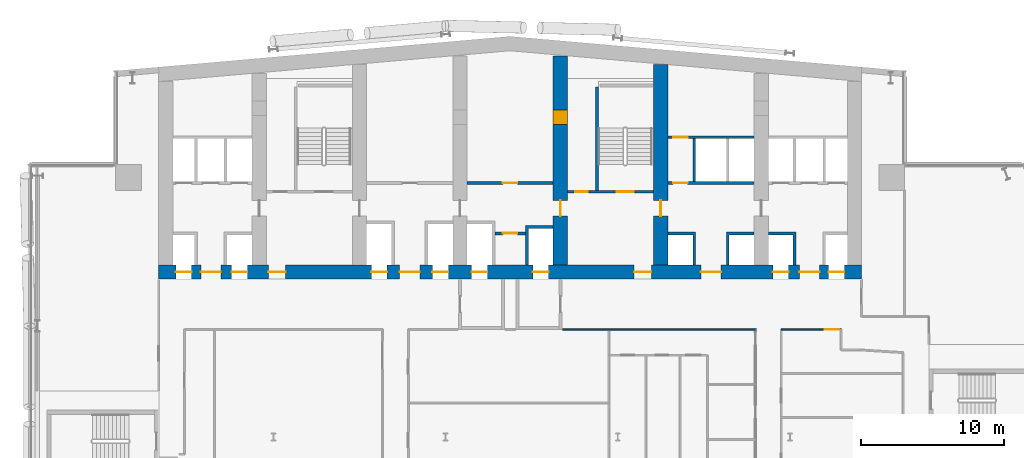
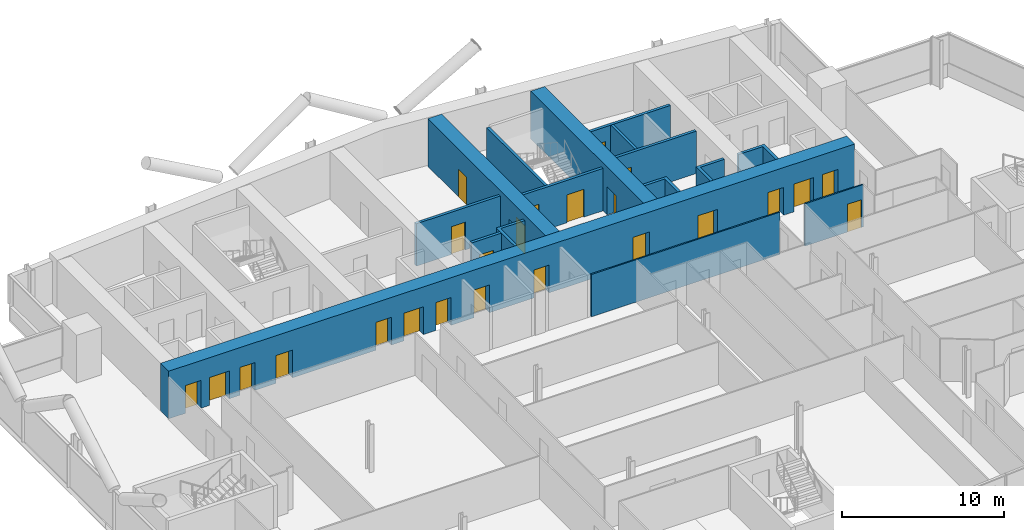
# One storey, part 17 of 27: 24 doors, 16 walls, 24 openings.
"""IFC4 building model written with IfcOpenShell, lengths in metres."""

from ifc_helpers import new_model, si_unit, direction, frame, frame_2d, origin, place, context, subcontext, project, spatial, polyline, rectangle, outline, extrude, material, layer, layer_set, type_object, element, fill, save


model = new_model("IFC4")

# Units and contexts
model_context = context("Model", 3, precision=1e-05, world=origin(), true_north=direction((0.0, 1.0)))
body_context = subcontext(model_context, "Body", "Model", "MODEL_VIEW")
ifc_project = project(units=[si_unit("LENGTHUNIT", "METRE"), si_unit("AREAUNIT", "SQUARE_METRE"), si_unit("VOLUMEUNIT", "CUBIC_METRE"), si_unit("PLANEANGLEUNIT", "RADIAN"), si_unit("MASSUNIT", "GRAM", prefix="KILO")], contexts=[model_context])

# Site, building, storey
site_placement = place(None, origin())
site = spatial("IfcSite", under=ifc_project, at=site_placement, CompositionType="ELEMENT")
building_placement = place(site_placement, origin())
building = spatial("IfcBuilding", under=site, at=building_placement, Name="Wharfspan Tower", CompositionType="ELEMENT")
storey_placement = place(building_placement, frame((0.0, 0.0, 111.100098)))
storey = spatial("IfcBuildingStorey", under=building, at=storey_placement, Name="L25", CompositionType="ELEMENT", Elevation=111.100098)

# Wall, opening, door
ifc_material_1 = material(Name="Gypsum board on steel studs", Category="steel")
ifc_layer_1 = layer(ifc_material_1, 0.100098)
ifc_layer_set_1 = layer_set([ifc_layer_1], Name="Gypsum board on steel studs")
wall_type_1 = type_object("IfcWallType", Name="Compartment wall 100 EI 60", PredefinedType="PARTITIONING", material=ifc_layer_set_1)
wall_1_placement = place(storey_placement, frame((59.399902, 30.5, 0.0), z_axis=(0.0, 0.0, 1.0), x_axis=(1.0, 0.0, 0.0)))
wall_1 = element("IfcWall", 1, at=wall_1_placement, inside=storey, type_object=wall_type_1, Name="Partition L25.w041", PredefinedType="PARTITIONING", context=body_context, shape_type="SweptSolid", body=[
    extrude(rectangle(XDim=4.175049, YDim=0.100098, at=frame_2d((2.087402, 0.0))), origin(), (0.0, 0.0, 1.0), 3.199951),
])
opening_1_placement = place(wall_1_placement, frame((3.024902, 0.0, 0.0)))
opening_1 = element("IfcOpeningElement", 2, at=opening_1_placement, cuts=wall_1, Name="Opening B3-25", PredefinedType="OPENING", context=body_context, shape_type="SweptSolid", body=[
    extrude(rectangle(XDim=1.0, YDim=2.100098, at=frame_2d((0.5, 1.050049))), frame((0.0, 0.060059, 0.0), z_axis=(0.0, -1.0, 0.0), x_axis=(1.0, 0.0, 0.0)), (0.0, 0.0, 1.0), 0.120117),
])
ifc_material_2 = material(Name="Fire-rated timber door leaf in steel frame", Category="steel")
door_type_1 = type_object("IfcDoorType", Name="Door 1000 FD30S Right", OperationType="SINGLE_SWING_RIGHT", PredefinedType="DOOR", material=ifc_material_2)
door_1_placement = place(opening_1_placement, origin())
door_1 = element("IfcDoor", 3, at=door_1_placement, inside=storey, type_object=door_type_1, Name="Door B3-25", OperationType="SINGLE_SWING_RIGHT", OverallHeight=2.100098, OverallWidth=1.0, PredefinedType="DOOR", context=body_context, shape_type="SweptSolid", body=[
    extrude(rectangle(XDim=1.0, YDim=2.100098, at=frame_2d((0.5, 1.050049))), frame((0.0, 0.024902, 0.0), z_axis=(0.0, -1.0, 0.0), x_axis=(1.0, 0.0, 0.0)), (0.0, 0.0, 1.0), 0.050049),
])
fill(opening_1, door_1)

# Wall
wall_2_placement = place(storey_placement, frame((44.149902, 30.5, 0.0), z_axis=(0.0, 0.0, 1.0), x_axis=(1.0, 0.0, 0.0)))
element("IfcWall", 4, at=wall_2_placement, inside=storey, type_object=wall_type_1, Name="Partition L25.w020 (3)", PredefinedType="PARTITIONING", context=body_context, shape_type="SweptSolid", body=[
    extrude(rectangle(XDim=13.450195, YDim=0.100098, at=frame_2d((6.725098, 0.0))), origin(), (0.0, 0.0, 1.0), 3.199951),
])

# Wall, opening, door
ifc_material_3 = material(Name="Calcium silicate masonry", Category="masonry")
ifc_layer_2 = layer(ifc_material_3, 0.199951)
ifc_layer_set_2 = layer_set([ifc_layer_2], Name="Calcium silicate masonry")
wall_type_2 = type_object("IfcWallType", Name="Core room wall 200", PredefinedType="PARTITIONING", material=ifc_layer_set_2)
wall_3_placement = place(storey_placement, frame((39.43335, 37.199951, 0.0), z_axis=(0.0, 0.0, 1.0), x_axis=(1.0, 0.0, 0.0)))
wall_3 = element("IfcWall", 5, at=wall_3_placement, inside=storey, type_object=wall_type_2, Name="sw:L25:FR4.2", PredefinedType="PARTITIONING", context=body_context, shape_type="SweptSolid", body=[
    extrude(rectangle(XDim=2.133301, YDim=0.199951, at=frame_2d((1.06665, 0.0))), origin(), (0.0, 0.0, 1.0), 3.199951),
])
opening_2_placement = place(wall_3_placement, frame((0.56665, 0.0, 0.0)))
opening_2 = element("IfcOpeningElement", 6, at=opening_2_placement, cuts=wall_3, Name="Opening CD25.4H2", PredefinedType="OPENING", context=body_context, shape_type="SweptSolid", body=[
    extrude(rectangle(XDim=1.0, YDim=2.100098, at=frame_2d((0.5, 1.050049))), frame((0.0, 0.109863, 0.0), z_axis=(0.0, -1.0, 0.0), x_axis=(1.0, 0.0, 0.0)), (0.0, 0.0, 1.0), 0.219971),
])
ifc_material_4 = material(Name="Steel door leaf", Category="steel")
door_type_2 = type_object("IfcDoorType", Name="Core room door 1000x2100", OperationType="SINGLE_SWING_LEFT", PredefinedType="DOOR", material=ifc_material_4)
door_2_placement = place(opening_2_placement, origin())
door_2 = element("IfcDoor", 7, at=door_2_placement, inside=storey, type_object=door_type_2, Name="d:L25:4:fh4.2", OperationType="SINGLE_SWING_RIGHT", OverallHeight=2.100098, OverallWidth=1.0, PredefinedType="DOOR", context=body_context, shape_type="SweptSolid", body=[
    extrude(rectangle(XDim=1.0, YDim=2.100098, at=frame_2d((0.5, 1.050049))), frame((0.0, 0.024902, 0.0), z_axis=(0.0, -1.0, 0.0), x_axis=(1.0, 0.0, 0.0)), (0.0, 0.0, 1.0), 0.050049),
])
fill(opening_2, door_2)

# Wall, openings, doors
ifc_material_5 = material(Name="Concrete C70/85", Category="concrete")
ifc_layer_3 = layer(ifc_material_5, 1.0)
ifc_layer_set_3 = layer_set([ifc_layer_3], Name="Concrete C70/85")
wall_type_3 = type_object("IfcWallType", Name="Core wall 1000 C70/85", PredefinedType="SHEAR", material=ifc_layer_set_3)
wall_4_placement = place(storey_placement, frame((16.0, 34.5, 0.0), z_axis=(0.0, 0.0, 1.0), x_axis=(1.0, 0.0, 0.0)))
wall_4 = element("IfcWall", 8, at=wall_4_placement, inside=storey, type_object=wall_type_3, Name="Core front wall L25", PredefinedType="SHEAR", context=body_context, shape_type="SweptSolid", body=[
    extrude(rectangle(XDim=49.0, YDim=1.0, at=frame_2d((24.5, 0.0))), origin(), (0.0, 0.0, 1.0), 3.599854),
])
opening_3_placement = place(wall_4_placement, frame((1.199951, 0.0, 0.0)))
opening_3 = element("IfcOpeningElement", 9, at=opening_3_placement, cuts=wall_4, Name="Opening LD.LA1.L25", PredefinedType="OPENING", context=body_context, shape_type="SweptSolid", body=[
    extrude(rectangle(XDim=1.100098, YDim=2.100098, at=frame_2d((0.550049, 1.050049))), frame((0.0, 0.51001, 0.0), z_axis=(0.0, -1.0, 0.0), x_axis=(1.0, 0.0, 0.0)), (0.0, 0.0, 1.0), 1.02002),
])
opening_4_placement = place(wall_4_placement, frame((5.083252, 0.0, 0.0)))
opening_4 = element("IfcOpeningElement", 10, at=opening_4_placement, cuts=wall_4, Name="Opening LD.LA2.L25", PredefinedType="OPENING", context=body_context, shape_type="SweptSolid", body=[
    extrude(rectangle(XDim=1.100098, YDim=2.100098, at=frame_2d((0.550049, 1.050049))), frame((0.0, 0.51001, 0.0), z_axis=(0.0, -1.0, 0.0), x_axis=(1.0, 0.0, 0.0)), (0.0, 0.0, 1.0), 1.02002),
])
opening_5_placement = place(wall_4_placement, frame((2.93335, 0.0, 0.0)))
opening_5 = element("IfcOpeningElement", 11, at=opening_5_placement, cuts=wall_4, Name="Opening HD25.1", PredefinedType="OPENING", context=body_context, shape_type="SweptSolid", body=[
    extrude(rectangle(XDim=1.399902, YDim=2.100098, at=frame_2d((0.699951, 1.050049))), frame((0.0, 0.51001, 0.0), z_axis=(0.0, -1.0, 0.0), x_axis=(1.0, 0.0, 0.0)), (0.0, 0.0, 1.0), 1.02002),
])
opening_6_placement = place(wall_4_placement, frame((7.649902, 0.0, 0.0)))
opening_6 = element("IfcOpeningElement", 12, at=opening_6_placement, cuts=wall_4, Name="Opening SV2.L25", PredefinedType="OPENING", context=body_context, shape_type="SweptSolid", body=[
    extrude(rectangle(XDim=1.199951, YDim=2.100098, at=frame_2d((0.600098, 1.050049))), frame((0.0, 0.51001, 0.0), z_axis=(0.0, -1.0, 0.0), x_axis=(1.0, 0.0, 0.0)), (0.0, 0.0, 1.0), 1.02002),
])
opening_7_placement = place(wall_4_placement, frame((14.81665, 0.0, 0.0)))
opening_7 = element("IfcOpeningElement", 13, at=opening_7_placement, cuts=wall_4, Name="Opening LD.SL1.L25", PredefinedType="OPENING", context=body_context, shape_type="SweptSolid", body=[
    extrude(rectangle(XDim=1.100098, YDim=2.100098, at=frame_2d((0.550049, 1.050049))), frame((0.0, 0.51001, 0.0), z_axis=(0.0, -1.0, 0.0), x_axis=(1.0, 0.0, 0.0)), (0.0, 0.0, 1.0), 1.02002),
])
opening_8_placement = place(wall_4_placement, frame((19.083252, 0.0, 0.0)))
opening_8 = element("IfcOpeningElement", 14, at=opening_8_placement, cuts=wall_4, Name="Opening LD.SL2.L25", PredefinedType="OPENING", context=body_context, shape_type="SweptSolid", body=[
    extrude(rectangle(XDim=1.100098, YDim=2.100098, at=frame_2d((0.550049, 1.050049))), frame((0.0, 0.51001, 0.0), z_axis=(0.0, -1.0, 0.0), x_axis=(1.0, 0.0, 0.0)), (0.0, 0.0, 1.0), 1.02002),
])
opening_9_placement = place(wall_4_placement, frame((16.800049, 0.0, 0.0)))
opening_9 = element("IfcOpeningElement", 15, at=opening_9_placement, cuts=wall_4, Name="Opening HD25.3", PredefinedType="OPENING", context=body_context, shape_type="SweptSolid", body=[
    extrude(rectangle(XDim=1.399902, YDim=2.100098, at=frame_2d((0.699951, 1.050049))), frame((0.0, 0.51001, 0.0), z_axis=(0.0, -1.0, 0.0), x_axis=(1.0, 0.0, 0.0)), (0.0, 0.0, 1.0), 1.02002),
])
opening_10_placement = place(wall_4_placement, frame((21.81665, 0.0, 0.0)))
opening_10 = element("IfcOpeningElement", 16, at=opening_10_placement, cuts=wall_4, Name="Opening LD.FF1.L25", PredefinedType="OPENING", context=body_context, shape_type="SweptSolid", body=[
    extrude(rectangle(XDim=1.100098, YDim=2.100098, at=frame_2d((0.550049, 1.050049))), frame((0.0, 0.51001, 0.0), z_axis=(0.0, -1.0, 0.0), x_axis=(1.0, 0.0, 0.0)), (0.0, 0.0, 1.0), 1.02002),
])
opening_11_placement = place(wall_4_placement, frame((26.083252, 0.0, 0.0)))
opening_11 = element("IfcOpeningElement", 17, at=opening_11_placement, cuts=wall_4, Name="Opening LD.FF2.L25", PredefinedType="OPENING", context=body_context, shape_type="SweptSolid", body=[
    extrude(rectangle(XDim=1.100098, YDim=2.100098, at=frame_2d((0.550049, 1.050049))), frame((0.0, 0.51001, 0.0), z_axis=(0.0, -1.0, 0.0), x_axis=(1.0, 0.0, 0.0)), (0.0, 0.0, 1.0), 1.02002),
])
opening_12_placement = place(wall_4_placement, frame((33.149902, 0.0, 0.0)))
opening_12 = element("IfcOpeningElement", 18, at=opening_12_placement, cuts=wall_4, Name="Opening SV5.L25", PredefinedType="OPENING", context=body_context, shape_type="SweptSolid", body=[
    extrude(rectangle(XDim=1.199951, YDim=2.100098, at=frame_2d((0.600098, 1.050049))), frame((0.0, 0.51001, 0.0), z_axis=(0.0, -1.0, 0.0), x_axis=(1.0, 0.0, 0.0)), (0.0, 0.0, 1.0), 1.02002),
])
opening_13_placement = place(wall_4_placement, frame((37.800049, 0.0, 0.0)))
opening_13 = element("IfcOpeningElement", 19, at=opening_13_placement, cuts=wall_4, Name="Opening HD25.6", PredefinedType="OPENING", context=body_context, shape_type="SweptSolid", body=[
    extrude(rectangle(XDim=1.399902, YDim=2.100098, at=frame_2d((0.699951, 1.050049))), frame((0.0, 0.51001, 0.0), z_axis=(0.0, -1.0, 0.0), x_axis=(1.0, 0.0, 0.0)), (0.0, 0.0, 1.0), 1.02002),
])
opening_14_placement = place(wall_4_placement, frame((42.81665, 0.0, 0.0)))
opening_14 = element("IfcOpeningElement", 20, at=opening_14_placement, cuts=wall_4, Name="Opening LD.LA6.L25", PredefinedType="OPENING", context=body_context, shape_type="SweptSolid", body=[
    extrude(rectangle(XDim=1.100098, YDim=2.100098, at=frame_2d((0.550049, 1.050049))), frame((0.0, 0.51001, 0.0), z_axis=(0.0, -1.0, 0.0), x_axis=(1.0, 0.0, 0.0)), (0.0, 0.0, 1.0), 1.02002),
])
opening_15_placement = place(wall_4_placement, frame((46.699951, 0.0, 0.0)))
opening_15 = element("IfcOpeningElement", 21, at=opening_15_placement, cuts=wall_4, Name="Opening LD.LA7.L25", PredefinedType="OPENING", context=body_context, shape_type="SweptSolid", body=[
    extrude(rectangle(XDim=1.100098, YDim=2.100098, at=frame_2d((0.550049, 1.050049))), frame((0.0, 0.51001, 0.0), z_axis=(0.0, -1.0, 0.0), x_axis=(1.0, 0.0, 0.0)), (0.0, 0.0, 1.0), 1.02002),
])
opening_16_placement = place(wall_4_placement, frame((44.666748, 0.0, 0.0)))
opening_16 = element("IfcOpeningElement", 22, at=opening_16_placement, cuts=wall_4, Name="Opening HD25.7", PredefinedType="OPENING", context=body_context, shape_type="SweptSolid", body=[
    extrude(rectangle(XDim=1.399902, YDim=2.100098, at=frame_2d((0.699951, 1.050049))), frame((0.0, 0.51001, 0.0), z_axis=(0.0, -1.0, 0.0), x_axis=(1.0, 0.0, 0.0)), (0.0, 0.0, 1.0), 1.02002),
])
door_type_3 = type_object("IfcDoorType", Name="Hall entry door 1400x2100", OperationType="DOUBLE_DOOR_SINGLE_SWING", PredefinedType="DOOR", material=ifc_material_4)
door_3_placement = place(opening_5_placement, origin())
door_3 = element("IfcDoor", 23, at=door_3_placement, inside=storey, type_object=door_type_3, Name="d:L25:1:hd1", OperationType="DOUBLE_DOOR_SINGLE_SWING", OverallHeight=2.100098, OverallWidth=1.399902, PredefinedType="DOOR", context=body_context, shape_type="SweptSolid", body=[
    extrude(rectangle(XDim=1.399902, YDim=2.100098, at=frame_2d((0.699951, 1.050049))), frame((0.0, 0.024902, 0.0), z_axis=(0.0, -1.0, 0.0), x_axis=(1.0, 0.0, 0.0)), (0.0, 0.0, 1.0), 0.050049),
])
fill(opening_5, door_3)
door_4_placement = place(opening_9_placement, origin())
door_4 = element("IfcDoor", 24, at=door_4_placement, inside=storey, type_object=door_type_3, Name="d:L25:3:hd3", OperationType="DOUBLE_DOOR_SINGLE_SWING", OverallHeight=2.100098, OverallWidth=1.399902, PredefinedType="DOOR", context=body_context, shape_type="SweptSolid", body=[
    extrude(rectangle(XDim=1.399902, YDim=2.100098, at=frame_2d((0.699951, 1.050049))), frame((0.0, 0.024902, 0.0), z_axis=(0.0, -1.0, 0.0), x_axis=(1.0, 0.0, 0.0)), (0.0, 0.0, 1.0), 0.050049),
])
fill(opening_9, door_4)
door_5_placement = place(opening_13_placement, origin())
door_5 = element("IfcDoor", 25, at=door_5_placement, inside=storey, type_object=door_type_3, Name="d:L25:6:hd6", OperationType="DOUBLE_DOOR_SINGLE_SWING", OverallHeight=2.100098, OverallWidth=1.399902, PredefinedType="DOOR", context=body_context, shape_type="SweptSolid", body=[
    extrude(rectangle(XDim=1.399902, YDim=2.100098, at=frame_2d((0.699951, 1.050049))), frame((0.0, 0.024902, 0.0), z_axis=(0.0, -1.0, 0.0), x_axis=(1.0, 0.0, 0.0)), (0.0, 0.0, 1.0), 0.050049),
])
fill(opening_13, door_5)
door_6_placement = place(opening_16_placement, origin())
door_6 = element("IfcDoor", 26, at=door_6_placement, inside=storey, type_object=door_type_3, Name="d:L25:7:hd7", OperationType="DOUBLE_DOOR_SINGLE_SWING", OverallHeight=2.100098, OverallWidth=1.399902, PredefinedType="DOOR", context=body_context, shape_type="SweptSolid", body=[
    extrude(rectangle(XDim=1.399902, YDim=2.100098, at=frame_2d((0.699951, 1.050049))), frame((0.0, 0.024902, 0.0), z_axis=(0.0, -1.0, 0.0), x_axis=(1.0, 0.0, 0.0)), (0.0, 0.0, 1.0), 0.050049),
])
fill(opening_16, door_6)
ifc_material_6 = material(Name="Stainless steel", Category="steel")
door_type_4 = type_object("IfcDoorType", Name="Lift landing door 1100x2100", OperationType="DOUBLE_DOOR_SLIDING", PredefinedType="DOOR", material=ifc_material_6)
door_7_placement = place(opening_3_placement, origin())
door_7 = element("IfcDoor", 27, at=door_7_placement, inside=storey, type_object=door_type_4, Name="Landing door LA1 L25", OperationType="DOUBLE_DOOR_SLIDING", OverallHeight=2.100098, OverallWidth=1.100098, PredefinedType="DOOR", context=body_context, shape_type="SweptSolid", body=[
    extrude(rectangle(XDim=1.100098, YDim=2.100098, at=frame_2d((0.550049, 1.050049))), frame((0.0, 0.024902, 0.0), z_axis=(0.0, -1.0, 0.0), x_axis=(1.0, 0.0, 0.0)), (0.0, 0.0, 1.0), 0.050049),
])
fill(opening_3, door_7)
door_8_placement = place(opening_4_placement, origin())
door_8 = element("IfcDoor", 28, at=door_8_placement, inside=storey, type_object=door_type_4, Name="Landing door LA2 L25", OperationType="DOUBLE_DOOR_SLIDING", OverallHeight=2.100098, OverallWidth=1.100098, PredefinedType="DOOR", context=body_context, shape_type="SweptSolid", body=[
    extrude(rectangle(XDim=1.100098, YDim=2.100098, at=frame_2d((0.550049, 1.050049))), frame((0.0, 0.024902, 0.0), z_axis=(0.0, -1.0, 0.0), x_axis=(1.0, 0.0, 0.0)), (0.0, 0.0, 1.0), 0.050049),
])
fill(opening_4, door_8)
door_9_placement = place(opening_7_placement, origin())
door_9 = element("IfcDoor", 29, at=door_9_placement, inside=storey, type_object=door_type_4, Name="Landing door SL1 L25", OperationType="DOUBLE_DOOR_SLIDING", OverallHeight=2.100098, OverallWidth=1.100098, PredefinedType="DOOR", context=body_context, shape_type="SweptSolid", body=[
    extrude(rectangle(XDim=1.100098, YDim=2.100098, at=frame_2d((0.550049, 1.050049))), frame((0.0, 0.024902, 0.0), z_axis=(0.0, -1.0, 0.0), x_axis=(1.0, 0.0, 0.0)), (0.0, 0.0, 1.0), 0.050049),
])
fill(opening_7, door_9)
door_10_placement = place(opening_8_placement, origin())
door_10 = element("IfcDoor", 30, at=door_10_placement, inside=storey, type_object=door_type_4, Name="Landing door SL2 L25", OperationType="DOUBLE_DOOR_SLIDING", OverallHeight=2.100098, OverallWidth=1.100098, PredefinedType="DOOR", context=body_context, shape_type="SweptSolid", body=[
    extrude(rectangle(XDim=1.100098, YDim=2.100098, at=frame_2d((0.550049, 1.050049))), frame((0.0, 0.024902, 0.0), z_axis=(0.0, -1.0, 0.0), x_axis=(1.0, 0.0, 0.0)), (0.0, 0.0, 1.0), 0.050049),
])
fill(opening_8, door_10)
door_11_placement = place(opening_10_placement, origin())
door_11 = element("IfcDoor", 31, at=door_11_placement, inside=storey, type_object=door_type_4, Name="Landing door FF1 L25", OperationType="DOUBLE_DOOR_SLIDING", OverallHeight=2.100098, OverallWidth=1.100098, PredefinedType="DOOR", context=body_context, shape_type="SweptSolid", body=[
    extrude(rectangle(XDim=1.100098, YDim=2.100098, at=frame_2d((0.550049, 1.050049))), frame((0.0, 0.024902, 0.0), z_axis=(0.0, -1.0, 0.0), x_axis=(1.0, 0.0, 0.0)), (0.0, 0.0, 1.0), 0.050049),
])
fill(opening_10, door_11)
door_12_placement = place(opening_11_placement, origin())
door_12 = element("IfcDoor", 32, at=door_12_placement, inside=storey, type_object=door_type_4, Name="Landing door FF2 L25", OperationType="DOUBLE_DOOR_SLIDING", OverallHeight=2.100098, OverallWidth=1.100098, PredefinedType="DOOR", context=body_context, shape_type="SweptSolid", body=[
    extrude(rectangle(XDim=1.100098, YDim=2.100098, at=frame_2d((0.550049, 1.050049))), frame((0.0, 0.024902, 0.0), z_axis=(0.0, -1.0, 0.0), x_axis=(1.0, 0.0, 0.0)), (0.0, 0.0, 1.0), 0.050049),
])
fill(opening_11, door_12)
door_13_placement = place(opening_14_placement, origin())
door_13 = element("IfcDoor", 33, at=door_13_placement, inside=storey, type_object=door_type_4, Name="Landing door LA6 L25", OperationType="DOUBLE_DOOR_SLIDING", OverallHeight=2.100098, OverallWidth=1.100098, PredefinedType="DOOR", context=body_context, shape_type="SweptSolid", body=[
    extrude(rectangle(XDim=1.100098, YDim=2.100098, at=frame_2d((0.550049, 1.050049))), frame((0.0, 0.024902, 0.0), z_axis=(0.0, -1.0, 0.0), x_axis=(1.0, 0.0, 0.0)), (0.0, 0.0, 1.0), 0.050049),
])
fill(opening_14, door_13)
door_14_placement = place(opening_15_placement, origin())
door_14 = element("IfcDoor", 34, at=door_14_placement, inside=storey, type_object=door_type_4, Name="Landing door LA7 L25", OperationType="DOUBLE_DOOR_SLIDING", OverallHeight=2.100098, OverallWidth=1.100098, PredefinedType="DOOR", context=body_context, shape_type="SweptSolid", body=[
    extrude(rectangle(XDim=1.100098, YDim=2.100098, at=frame_2d((0.550049, 1.050049))), frame((0.0, 0.024902, 0.0), z_axis=(0.0, -1.0, 0.0), x_axis=(1.0, 0.0, 0.0)), (0.0, 0.0, 1.0), 0.050049),
])
fill(opening_15, door_14)
door_type_5 = type_object("IfcDoorType", Name="Stair door 1200x2100", OperationType="SINGLE_SWING_LEFT", PredefinedType="DOOR", material=ifc_material_4)
door_15_placement = place(opening_6_placement, origin())
door_15 = element("IfcDoor", 35, at=door_15_placement, inside=storey, type_object=door_type_5, Name="vd:L25:2", OperationType="SINGLE_SWING_LEFT", OverallHeight=2.100098, OverallWidth=1.199951, PredefinedType="DOOR", context=body_context, shape_type="SweptSolid", body=[
    extrude(rectangle(XDim=1.199951, YDim=2.100098, at=frame_2d((0.600098, 1.050049))), frame((0.0, 0.024902, 0.0), z_axis=(0.0, -1.0, 0.0), x_axis=(1.0, 0.0, 0.0)), (0.0, 0.0, 1.0), 0.050049),
])
fill(opening_6, door_15)
door_16_placement = place(opening_12_placement, origin())
door_16 = element("IfcDoor", 36, at=door_16_placement, inside=storey, type_object=door_type_5, Name="vd:L25:5", OperationType="SINGLE_SWING_LEFT", OverallHeight=2.100098, OverallWidth=1.199951, PredefinedType="DOOR", context=body_context, shape_type="SweptSolid", body=[
    extrude(rectangle(XDim=1.199951, YDim=2.100098, at=frame_2d((0.600098, 1.050049))), frame((0.0, 0.024902, 0.0), z_axis=(0.0, -1.0, 0.0), x_axis=(1.0, 0.0, 0.0)), (0.0, 0.0, 1.0), 0.050049),
])
fill(opening_12, door_16)

wall_5_placement = place(storey_placement, frame((44.0, 35.0, 0.0), z_axis=(0.0, 0.0, 1.0), x_axis=(0.0, 1.0, 0.0)))
wall_5 = element("IfcWall", 37, at=wall_5_placement, inside=storey, type_object=wall_type_3, Name="Core cross wall X5 L25", PredefinedType="SHEAR", context=body_context, shape_type="SweptSolid", body=[
    extrude(rectangle(XDim=14.577148, YDim=1.0, at=frame_2d((7.288574, 0.0))), origin(), (0.0, 0.0, 1.0), 3.599854),
])
opening_17_placement = place(wall_5_placement, frame((3.399902, 0.0, 0.0)))
opening_17 = element("IfcOpeningElement", 38, at=opening_17_placement, cuts=wall_5, Name="Opening CC25.5", PredefinedType="OPENING", context=body_context, shape_type="SweptSolid", body=[
    extrude(rectangle(XDim=1.100098, YDim=2.100098, at=frame_2d((0.550049, 1.050049))), frame((0.0, 0.51001, 0.0), z_axis=(0.0, -1.0, 0.0), x_axis=(1.0, 0.0, 0.0)), (0.0, 0.0, 1.0), 1.02002),
])
opening_18_placement = place(wall_5_placement, frame((9.800049, 0.0, 0.0)))
opening_18 = element("IfcOpeningElement", 39, at=opening_18_placement, cuts=wall_5, Name="Opening CR25.5", PredefinedType="OPENING", context=body_context, shape_type="SweptSolid", body=[
    extrude(rectangle(XDim=1.0, YDim=2.100098, at=frame_2d((0.5, 1.050049))), frame((0.0, 0.51001, 0.0), z_axis=(0.0, -1.0, 0.0), x_axis=(1.0, 0.0, 0.0)), (0.0, 0.0, 1.0), 1.02002),
])
door_type_6 = type_object("IfcDoorType", Name="Core corridor door 1100x2100", OperationType="SINGLE_SWING_LEFT", PredefinedType="DOOR", material=ifc_material_4)
door_17_placement = place(opening_17_placement, origin())
door_17 = element("IfcDoor", 40, at=door_17_placement, inside=storey, type_object=door_type_6, Name="xd:L25:5", OperationType="SINGLE_SWING_LEFT", OverallHeight=2.100098, OverallWidth=1.100098, PredefinedType="DOOR", context=body_context, shape_type="SweptSolid", body=[
    extrude(rectangle(XDim=1.100098, YDim=2.100098, at=frame_2d((0.550049, 1.050049))), frame((0.0, 0.024902, 0.0), z_axis=(0.0, -1.0, 0.0), x_axis=(1.0, 0.0, 0.0)), (0.0, 0.0, 1.0), 0.050049),
])
fill(opening_17, door_17)
door_18_placement = place(opening_18_placement, origin())
door_18 = element("IfcDoor", 41, at=door_18_placement, inside=storey, type_object=door_type_2, Name="xr:L25:5", OperationType="SINGLE_SWING_RIGHT", OverallHeight=2.100098, OverallWidth=1.0, PredefinedType="DOOR", context=body_context, shape_type="SweptSolid", body=[
    extrude(rectangle(XDim=1.0, YDim=2.100098, at=frame_2d((0.5, 1.050049))), frame((0.0, 0.499756, 0.0), z_axis=(0.0, -1.0, 0.0), x_axis=(1.0, 0.0, 0.0)), (0.0, 0.0, 1.0), 0.999512),
])
fill(opening_18, door_18)

# Wall, opening, door
wall_6_placement = place(storey_placement, frame((51.0, 35.0, 0.0), z_axis=(0.0, 0.0, 1.0), x_axis=(0.0, 1.0, 0.0)))
wall_6 = element("IfcWall", 42, at=wall_6_placement, inside=storey, type_object=wall_type_3, Name="Core cross wall X6 L25", PredefinedType="SHEAR", context=body_context, shape_type="SweptSolid", body=[
    extrude(rectangle(XDim=13.9646, YDim=1.0, at=frame_2d((6.982422, 0.0))), origin(), (0.0, 0.0, 1.0), 3.599854),
])
opening_19_placement = place(wall_6_placement, frame((3.399902, 0.0, 0.0)))
opening_19 = element("IfcOpeningElement", 43, at=opening_19_placement, cuts=wall_6, Name="Opening CC25.6", PredefinedType="OPENING", context=body_context, shape_type="SweptSolid", body=[
    extrude(rectangle(XDim=1.100098, YDim=2.100098, at=frame_2d((0.550049, 1.050049))), frame((0.0, 0.51001, 0.0), z_axis=(0.0, -1.0, 0.0), x_axis=(1.0, 0.0, 0.0)), (0.0, 0.0, 1.0), 1.02002),
])
door_19_placement = place(opening_19_placement, origin())
door_19 = element("IfcDoor", 44, at=door_19_placement, inside=storey, type_object=door_type_6, Name="xd:L25:6", OperationType="SINGLE_SWING_RIGHT", OverallHeight=2.100098, OverallWidth=1.100098, PredefinedType="DOOR", context=body_context, shape_type="SweptSolid", body=[
    extrude(rectangle(XDim=1.100098, YDim=2.100098, at=frame_2d((0.550049, 1.050049))), frame((0.0, 0.024902, 0.0), z_axis=(0.0, -1.0, 0.0), x_axis=(1.0, 0.0, 0.0)), (0.0, 0.0, 1.0), 0.050049),
])
fill(opening_19, door_19)

ifc_material_7 = material(Name="Concrete C30/37", Category="concrete")
ifc_layer_4 = layer(ifc_material_7, 0.199951)
ifc_layer_set_4 = layer_set([ifc_layer_4], Name="Concrete C30/37")
wall_type_4 = type_object("IfcWallType", Name="Lift shaft wall 200", PredefinedType="PARTITIONING", material=ifc_layer_set_4)
wall_7_placement = place(storey_placement, frame((37.5, 40.699951, 0.0), z_axis=(0.0, 0.0, 1.0), x_axis=(1.0, 0.0, 0.0)))
wall_7 = element("IfcWall", 45, at=wall_7_placement, inside=storey, type_object=wall_type_4, Name="sw:L25:RF4", PredefinedType="PARTITIONING", context=body_context, shape_type="SweptSolid", body=[
    extrude(rectangle(XDim=6.0, YDim=0.199951, at=frame_2d((3.0, 0.0))), origin(), (0.0, 0.0, 1.0), 3.199951),
])
opening_20_placement = place(wall_7_placement, frame((2.5, 0.0, 0.0)))
opening_20 = element("IfcOpeningElement", 46, at=opening_20_placement, cuts=wall_7, Name="Opening CD25.4S", PredefinedType="OPENING", context=body_context, shape_type="SweptSolid", body=[
    extrude(rectangle(XDim=1.0, YDim=2.100098, at=frame_2d((0.5, 1.050049))), frame((0.0, 0.109863, 0.0), z_axis=(0.0, -1.0, 0.0), x_axis=(1.0, 0.0, 0.0)), (0.0, 0.0, 1.0), 0.219971),
])
door_20_placement = place(opening_20_placement, origin())
door_20 = element("IfcDoor", 47, at=door_20_placement, inside=storey, type_object=door_type_2, Name="d:L25:4:sf", OperationType="SINGLE_SWING_LEFT", OverallHeight=2.100098, OverallWidth=1.0, PredefinedType="DOOR", context=body_context, shape_type="SweptSolid", body=[
    extrude(rectangle(XDim=1.0, YDim=2.100098, at=frame_2d((0.5, 1.050049))), frame((0.0, 0.024902, 0.0), z_axis=(0.0, -1.0, 0.0), x_axis=(1.0, 0.0, 0.0)), (0.0, 0.0, 1.0), 0.050049),
])
fill(opening_20, door_20)

# Wall
wall_8_placement = place(storey_placement, frame((0.0, 0.0, -0.000244)))
element("IfcWall", 48, at=wall_8_placement, inside=storey, type_object=wall_type_4, Name="sw:L25:FM4.0", PredefinedType="PARTITIONING", context=body_context, shape_type="SweptSolid", body=[
    extrude(outline(polyline([(41.56665, 37.75), (41.766602, 37.75), (43.5, 37.75), (43.5, 37.550049), (41.766602, 37.550049), (41.766602, 35.0), (41.56665, 35.0), (41.56665, 37.75)])), origin(), (0.0, 0.0, 1.0), 3.200195),
])

# Wall, opening, door
wall_9_placement = place(storey_placement, frame((51.5, 40.699951, 0.0), z_axis=(0.0, 0.0, 1.0), x_axis=(1.0, 0.0, 0.0)))
wall_9 = element("IfcWall", 49, at=wall_9_placement, inside=storey, type_object=wall_type_4, Name="sw:L25:RF6", PredefinedType="PARTITIONING", context=body_context, shape_type="SweptSolid", body=[
    extrude(rectangle(XDim=6.0, YDim=0.199951, at=frame_2d((3.0, 0.0))), origin(), (0.0, 0.0, 1.0), 3.199951),
])
opening_21_placement = place(wall_9_placement, frame((0.366699, 0.0, 0.0)))
opening_21 = element("IfcOpeningElement", 50, at=opening_21_placement, cuts=wall_9, Name="Opening CD25.6R1", PredefinedType="OPENING", context=body_context, shape_type="SweptSolid", body=[
    extrude(rectangle(XDim=1.0, YDim=2.100098, at=frame_2d((0.5, 1.050049))), frame((0.0, 0.109863, 0.0), z_axis=(0.0, -1.0, 0.0), x_axis=(1.0, 0.0, 0.0)), (0.0, 0.0, 1.0), 0.219971),
])
door_21_placement = place(opening_21_placement, origin())
door_21 = element("IfcDoor", 51, at=door_21_placement, inside=storey, type_object=door_type_2, Name="d:L25:6:rd6.1", OperationType="SINGLE_SWING_RIGHT", OverallHeight=2.100098, OverallWidth=1.0, PredefinedType="DOOR", context=body_context, shape_type="SweptSolid", body=[
    extrude(rectangle(XDim=1.0, YDim=2.100098, at=frame_2d((0.5, 1.050049))), frame((0.0, 0.024902, 0.0), z_axis=(0.0, -1.0, 0.0), x_axis=(1.0, 0.0, 0.0)), (0.0, 0.0, 1.0), 0.050049),
])
fill(opening_21, door_21)

wall_10_placement = place(storey_placement, frame((51.5, 43.899902, 0.0), z_axis=(0.0, 0.0, 1.0), x_axis=(1.0, 0.0, 0.0)))
wall_10 = element("IfcWall", 52, at=wall_10_placement, inside=storey, type_object=wall_type_4, Name="sw:L25:RR6", PredefinedType="PARTITIONING", context=body_context, shape_type="SweptSolid", body=[
    extrude(rectangle(XDim=6.0, YDim=0.199951, at=frame_2d((3.0, 0.0))), origin(), (0.0, 0.0, 1.0), 3.199951),
])
opening_22_placement = place(wall_10_placement, frame((0.366699, 0.0, 0.0)))
opening_22 = element("IfcOpeningElement", 53, at=opening_22_placement, cuts=wall_10, Name="Opening CD25.6S1", PredefinedType="OPENING", context=body_context, shape_type="SweptSolid", body=[
    extrude(rectangle(XDim=1.0, YDim=2.100098, at=frame_2d((0.5, 1.050049))), frame((0.0, 0.109863, 0.0), z_axis=(0.0, -1.0, 0.0), x_axis=(1.0, 0.0, 0.0)), (0.0, 0.0, 1.0), 0.219971),
])
door_22_placement = place(opening_22_placement, origin())
door_22 = element("IfcDoor", 54, at=door_22_placement, inside=storey, type_object=door_type_2, Name="d:L25:6:rs6.1", OperationType="SINGLE_SWING_LEFT", OverallHeight=2.100098, OverallWidth=1.0, PredefinedType="DOOR", context=body_context, shape_type="SweptSolid", body=[
    extrude(rectangle(XDim=1.0, YDim=2.100098, at=frame_2d((0.5, 1.050049))), frame((0.0, 0.024902, 0.0), z_axis=(0.0, -1.0, 0.0), x_axis=(1.0, 0.0, 0.0)), (0.0, 0.0, 1.0), 0.050049),
])
fill(opening_22, door_22)

# Walls
wall_11_placement = place(storey_placement, frame((0.0, 0.0, -0.000244)))
element("IfcWall", 55, at=wall_11_placement, inside=storey, type_object=wall_type_4, Name="sw:L25:FM6.0", PredefinedType="PARTITIONING", context=body_context, shape_type="SweptSolid", body=[
    extrude(outline(polyline([(53.233398, 37.100098), (51.5, 37.100098), (51.5, 37.300049), (53.233398, 37.300049), (53.43335, 37.300049), (53.43335, 35.0), (53.233398, 35.0), (53.233398, 37.100098)])), origin(), (0.0, 0.0, 1.0), 3.200195),
])
wall_12_placement = place(storey_placement, frame((0.0, 0.0, -0.000244)))
element("IfcWall", 56, at=wall_12_placement, inside=storey, type_object=wall_type_4, Name="sw:L25:FM6.1", PredefinedType="PARTITIONING", context=body_context, shape_type="SweptSolid", body=[
    extrude(outline(polyline([(55.56665, 37.300049), (55.766602, 37.300049), (57.5, 37.300049), (57.5, 37.100098), (55.766602, 37.100098), (55.766602, 35.0), (55.56665, 35.0), (55.56665, 37.300049)])), origin(), (0.0, 0.0, 1.0), 3.200195),
])
wall_13_placement = place(storey_placement, frame((0.0, 0.0, -0.000244)))
element("IfcWall", 57, at=wall_13_placement, inside=storey, type_object=wall_type_4, Name="sw:L25:RM6.0", PredefinedType="PARTITIONING", context=body_context, shape_type="SweptSolid", body=[
    extrude(outline(polyline([(53.233398, 40.800049), (53.233398, 43.800049), (53.43335, 43.800049), (53.43335, 40.800049), (53.233398, 40.800049)])), origin(), (0.0, 0.0, 1.0), 3.200195),
])
wall_14_placement = place(storey_placement, frame((0.0, 0.0, -0.000244)))
element("IfcWall", 58, at=wall_14_placement, inside=storey, type_object=wall_type_4, Name="sw:L25:FM7.0", PredefinedType="PARTITIONING", context=body_context, shape_type="SweptSolid", body=[
    extrude(outline(polyline([(60.233398, 37.100098), (58.5, 37.100098), (58.5, 37.300049), (60.233398, 37.300049), (60.43335, 37.300049), (60.43335, 35.0), (60.233398, 35.0), (60.233398, 37.100098)])), origin(), (0.0, 0.0, 1.0), 3.200195),
])

# Wall, openings, doors
ifc_material_8 = material(Name="Concrete C40/50", Category="concrete")
ifc_layer_5 = layer(ifc_material_8, 0.199951)
ifc_layer_set_5 = layer_set([ifc_layer_5], Name="Concrete C40/50")
wall_type_5 = type_object("IfcWallType", Name="Stair shaft wall 200", PredefinedType="SHEAR", material=ifc_layer_set_5)
wall_15_placement = place(storey_placement, frame((44.5, 40.100098, 0.0), z_axis=(0.0, 0.0, 1.0), x_axis=(1.0, 0.0, 0.0)))
wall_15 = element("IfcWall", 59, at=wall_15_placement, inside=storey, type_object=wall_type_5, Name="ST2 stair enclosure wall L25", PredefinedType="SHEAR", context=body_context, shape_type="SweptSolid", body=[
    extrude(rectangle(XDim=6.0, YDim=0.199951, at=frame_2d((3.0, 0.0))), origin(), (0.0, 0.0, 1.0), 3.199951),
])
opening_23_placement = place(wall_15_placement, frame((3.425049, 0.0, 0.0)))
opening_23 = element("IfcOpeningElement", 60, at=opening_23_placement, cuts=wall_15, Name="Opening SD5.L25", PredefinedType="OPENING", context=body_context, shape_type="SweptSolid", body=[
    extrude(rectangle(XDim=1.199951, YDim=2.100098, at=frame_2d((0.600098, 1.050049))), frame((0.0, 0.109863, 0.0), z_axis=(0.0, -1.0, 0.0), x_axis=(1.0, 0.0, 0.0)), (0.0, 0.0, 1.0), 0.219971),
])
opening_24_placement = place(wall_15_placement, frame((0.524902, 0.0, 0.0)))
opening_24 = element("IfcOpeningElement", 61, at=opening_24_placement, cuts=wall_15, Name="Opening CD25.5R", PredefinedType="OPENING", context=body_context, shape_type="SweptSolid", body=[
    extrude(rectangle(XDim=0.899902, YDim=2.100098, at=frame_2d((0.449951, 1.050049))), frame((0.0, 0.109863, 0.0), z_axis=(0.0, -1.0, 0.0), x_axis=(1.0, 0.0, 0.0)), (0.0, 0.0, 1.0), 0.219971),
])
door_23_placement = place(opening_24_placement, origin())
door_23 = element("IfcDoor", 62, at=door_23_placement, inside=storey, type_object=door_type_2, Name="rk:L25:5", OperationType="SINGLE_SWING_LEFT", OverallHeight=2.100098, OverallWidth=0.899902, PredefinedType="DOOR", context=body_context, shape_type="SweptSolid", body=[
    extrude(rectangle(XDim=0.899902, YDim=2.100098, at=frame_2d((0.449951, 1.050049))), frame((0.0, 0.024902, 0.0), z_axis=(0.0, -1.0, 0.0), x_axis=(1.0, 0.0, 0.0)), (0.0, 0.0, 1.0), 0.050049),
])
fill(opening_24, door_23)
door_24_placement = place(opening_23_placement, origin())
door_24 = element("IfcDoor", 63, at=door_24_placement, inside=storey, type_object=door_type_5, Name="sd:L25:5", OperationType="SINGLE_SWING_RIGHT", OverallHeight=2.100098, OverallWidth=1.199951, PredefinedType="DOOR", context=body_context, shape_type="SweptSolid", body=[
    extrude(rectangle(XDim=1.199951, YDim=2.100098, at=frame_2d((0.600098, 1.050049))), frame((0.0, 0.024902, 0.0), z_axis=(0.0, -1.0, 0.0), x_axis=(1.0, 0.0, 0.0)), (0.0, 0.0, 1.0), 0.050049),
])
fill(opening_23, door_24)

# Wall
wall_16_placement = place(storey_placement, frame((46.550049, 40.199951, 0.0), z_axis=(0.0, 0.0, 1.0), x_axis=(0.0, 1.0, 0.0)))
element("IfcWall", 64, at=wall_16_placement, inside=storey, type_object=wall_type_5, Name="ST2 stair enclosure wall L25", PredefinedType="SHEAR", context=body_context, shape_type="SweptSolid", body=[
    extrude(rectangle(XDim=7.199951, YDim=0.199951, at=frame_2d((3.600098, 0.0))), origin(), (0.0, 0.0, 1.0), 3.199951),
])

save(model, "model.ifc")
